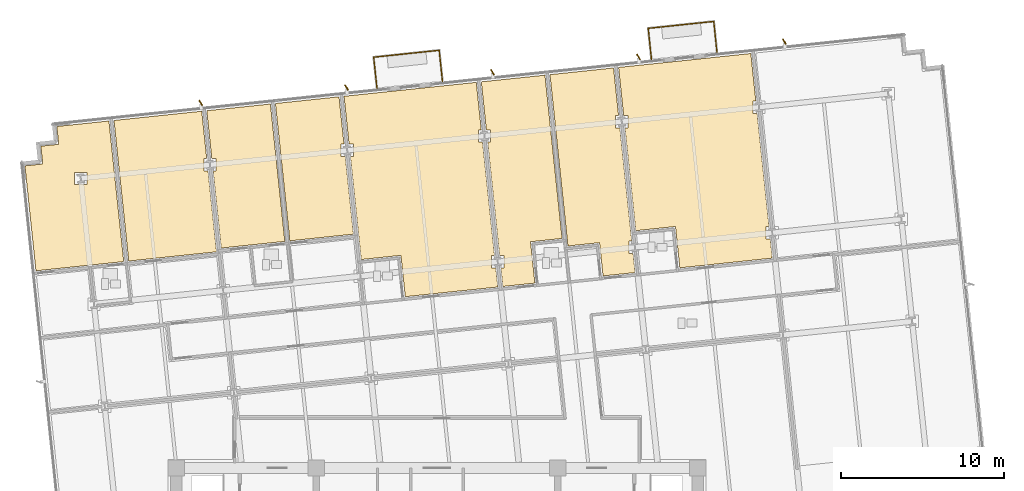
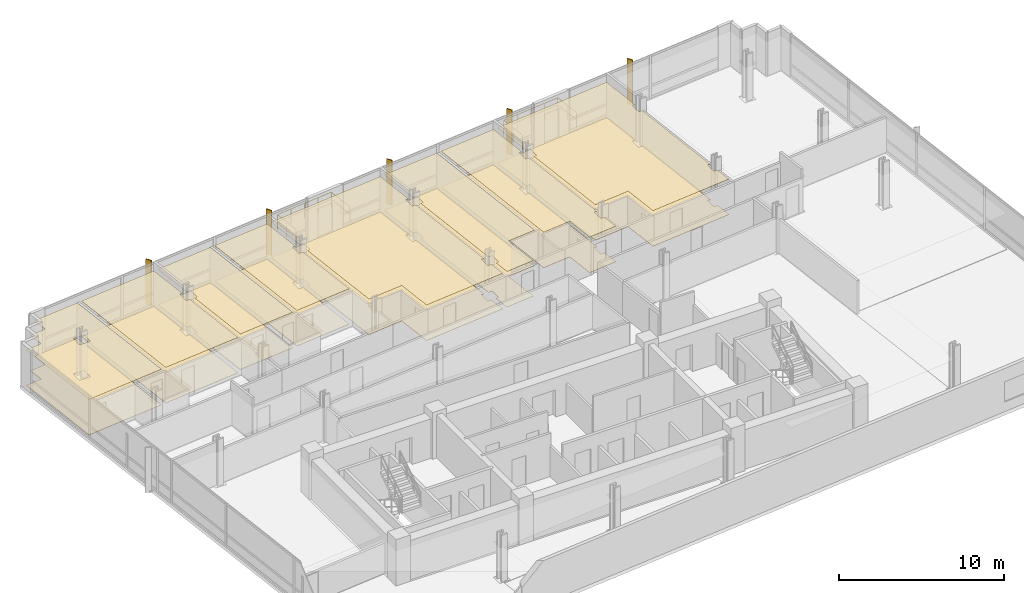
# One storey, part 16 of 18: 16 coverings, 6 railings, 5 shading devices.
"""IFC4 building model written with IfcOpenShell, lengths in metres."""

import ifcopenshell
import ifcopenshell.guid

model = None  # the IFC model being written
_history = None  # IfcOwnerHistory: only IFC2X3 demands one
_inside = {}  # id of a spatial element -> (the spatial element, [elements in it])
_under = {}  # id of a project, library or spatial element -> (it, [spatial elements below it])
_declared = {}  # id of a project -> (the project, [libraries it declares])
_typed = {}  # id of a type object -> (the type object, [elements of that type])
_made_of = {}  # id of a material, layer set ... -> (it, [elements and type objects made of it])


def new_model(schema):
    """Start an empty IFC model of exactly this schema.

    Asked for "IFC4X3", IfcOpenShell would pick the latest addendum, in which some entities
    have other attributes; the version numbers below select the first issue.
    IFC2X3 requires an IfcOwnerHistory on every rooted entity: one is made here for all.
    """
    global model, _history
    if schema == "IFC4X3":
        model = ifcopenshell.file(schema_version=(4, 3, 0, 0))
    else:
        model = ifcopenshell.file(schema=schema)
    _inside.clear()
    _under.clear()
    _declared.clear()
    _typed.clear()
    _made_of.clear()
    _history = None
    if model.schema == "IFC2X3":
        org = make("IfcOrganization", Name="unknown")
        user = make(
            "IfcPersonAndOrganization",
            ThePerson=make("IfcPerson", FamilyName="unknown"),
            TheOrganization=org,
        )
        app = make(
            "IfcApplication",
            ApplicationDeveloper=org,
            Version="unknown",
            ApplicationFullName="unknown",
            ApplicationIdentifier="unknown",
        )
        _history = make(
            "IfcOwnerHistory",
            OwningUser=user,
            OwningApplication=app,
            ChangeAction="ADDED",
            CreationDate=0,
        )
    return model


def make(cls, **values):
    """One entity of the class cls with the attributes given. An attribute that is None is left unset."""
    return model.create_entity(
        cls, **{name: value for name, value in values.items() if value is not None}
    )


def rooted(cls, **values):
    """An entity with a GlobalId (a new one), such as an element, a storey or a relation."""
    return make(cls, GlobalId=ifcopenshell.guid.new(), OwnerHistory=_history, **values)


def si_unit(unit_type, name, prefix=None):
    """IfcSIUnit, for example si_unit("LENGTHUNIT", "METRE", prefix="MILLI")."""
    return make("IfcSIUnit", UnitType=unit_type, Prefix=prefix, Name=name)


def assignment(units):
    """IfcUnitAssignment: the units of a project."""
    return None if units is None else make("IfcUnitAssignment", Units=units)


def point(xyz):
    """IfcCartesianPoint."""
    return None if xyz is None else make("IfcCartesianPoint", Coordinates=xyz)


def direction(xyz):
    """IfcDirection."""
    return None if xyz is None else make("IfcDirection", DirectionRatios=xyz)


def frame(location, z_axis=None, x_axis=None):
    """IfcAxis2Placement3D, a coordinate frame: its origin and axes. An axis left out is left unset."""
    return make(
        "IfcAxis2Placement3D",
        Location=point(location),
        Axis=direction(z_axis),
        RefDirection=direction(x_axis),
    )


def frame_2d(location, x_axis=None):
    """IfcAxis2Placement2D, a coordinate frame in the plane: its origin and x axis."""
    return make(
        "IfcAxis2Placement2D", Location=point(location), RefDirection=direction(x_axis)
    )


def origin():
    """The frame at (0, 0, 0) with its axes left unset."""
    return frame((0.0, 0.0, 0.0))


def origin_2d():
    """The frame at (0, 0) in the plane with its x axis left unset."""
    return frame_2d((0.0, 0.0))


def place(relative_to, where):
    """IfcLocalPlacement: puts the frame where relative to a parent placement (None: the world)."""
    return make(
        "IfcLocalPlacement", PlacementRelTo=relative_to, RelativePlacement=where
    )


def context(
    kind, dimensions, precision=None, world=None, true_north=None, identifier=None
):
    """IfcGeometricRepresentationContext, for example the 3D "Model" context."""
    return make(
        "IfcGeometricRepresentationContext",
        ContextIdentifier=identifier,
        ContextType=kind,
        CoordinateSpaceDimension=dimensions,
        Precision=precision,
        WorldCoordinateSystem=world,
        TrueNorth=true_north,
    )


def subcontext(parent, identifier, kind, view, scale=None):
    """IfcGeometricRepresentationSubContext, for example "Body" below "Model"."""
    return make(
        "IfcGeometricRepresentationSubContext",
        ContextIdentifier=identifier,
        ContextType=kind,
        ParentContext=parent,
        TargetScale=scale,
        TargetView=view,
    )


def project(units=None, contexts=None):
    """IfcProject with its units and contexts."""
    return rooted(
        "IfcProject",
        Name="project",
        RepresentationContexts=contexts,
        UnitsInContext=assignment(units),
    )


def spatial(cls, under=None, at=None, **own):
    """A site, building, storey or space (cls), placed at a placement, below another one or the project."""
    s = rooted(cls, ObjectPlacement=at, **own)
    if under is not None:
        _under.setdefault(under.id(), (under, []))[1].append(s)
    return s


def polyline(points):
    """IfcPolyline through the points."""
    return make("IfcPolyline", Points=[point(p) for p in points])


def profile(cls, at=None, kind="AREA", **sizes):
    """A parametric profile (cls). Its sizes go by their IFC names, for example OverallWidth=200.0."""
    return make(cls, ProfileType=kind, Position=at, **sizes)


def rectangle(**sizes):
    """IfcRectangleProfileDef."""
    return profile("IfcRectangleProfileDef", **sizes)


def circle(**sizes):
    """IfcCircleProfileDef."""
    return profile("IfcCircleProfileDef", **sizes)


def outline(outer, holes=None, kind="AREA"):
    """IfcArbitraryClosedProfileDef: a profile drawn as a closed curve; with holes, ...WithVoids."""
    if holes is None:
        return make("IfcArbitraryClosedProfileDef", ProfileType=kind, OuterCurve=outer)
    return make(
        "IfcArbitraryProfileDefWithVoids",
        ProfileType=kind,
        OuterCurve=outer,
        InnerCurves=holes,
    )


def extrude(swept, where, along, depth):
    """IfcExtrudedAreaSolid: the profile swept, set in the frame where, extruded along a direction by depth."""
    return make(
        "IfcExtrudedAreaSolid",
        SweptArea=swept,
        Position=where,
        ExtrudedDirection=direction(along),
        Depth=depth,
    )


def shape(context_of_items, identifier, shape_type, items):
    """IfcShapeRepresentation: the items that make up one representation, for example the "Body"."""
    return make(
        "IfcShapeRepresentation",
        ContextOfItems=context_of_items,
        RepresentationIdentifier=identifier,
        RepresentationType=shape_type,
        Items=items,
    )


def material(Name=None, Category=None):
    """IfcMaterial."""
    return make("IfcMaterial", Name=Name, Category=Category)


def layer(
    of_material, thickness, ventilated=None, Name=None, Category=None, Priority=None
):
    """IfcMaterialLayer: one layer of a wall or slab, of a material (None: an air gap)."""
    return make(
        "IfcMaterialLayer",
        Material=of_material,
        LayerThickness=thickness,
        IsVentilated=ventilated,
        Name=Name,
        Category=Category,
        Priority=Priority,
    )


def layer_set(layers, Name=None):
    """IfcMaterialLayerSet."""
    return make("IfcMaterialLayerSet", MaterialLayers=layers, LayerSetName=Name)


def made_of(thing, what):
    """Note that an element or type object is made of a material, layer set ...; save() writes the relation."""
    if what is not None:
        _made_of.setdefault(what.id(), (what, []))[1].append(thing)
    return thing


def type_object(cls, material=None, **own):
    """A type object (cls), such as IfcWallType, which elements share."""
    return made_of(rooted(cls, **own), material)


def element(
    cls,
    number,
    at=None,
    inside=None,
    cuts=None,
    type_object=None,
    material=None,
    context=None,
    identifier="Body",
    shape_type=None,
    held_by="IfcProductDefinitionShape",
    body=None,
    shapes=None,
    **own,
):
    """One element of the class cls, such as IfcWall. Its Tag is "e" and its number.

    at: its placement. inside: the storey or other place that contains it. cuts: it is an
    opening in that element (IfcRelVoidsElement). A single representation is given by context,
    identifier, shape_type and body (its items); several are given by shapes. held_by: the class
    of the entity that holds the representations. save() writes the other relations.
    """
    e = rooted(cls, Tag="e%d" % number, ObjectPlacement=at, **own)
    if body is not None:
        shapes = [shape(context, identifier, shape_type, body)]
    if shapes is not None:
        e.Representation = make(held_by, Representations=shapes)
    if inside is not None:
        _inside.setdefault(inside.id(), (inside, []))[1].append(e)
    if cuts is not None:
        rooted(
            "IfcRelVoidsElement", RelatingBuildingElement=cuts, RelatedOpeningElement=e
        )
    if type_object is not None:
        _typed.setdefault(type_object.id(), (type_object, []))[1].append(e)
    return made_of(e, material)


def aggregate(whole, parts):
    """IfcRelAggregates: a whole, such as a stair, and the parts it consists of."""
    return rooted("IfcRelAggregates", RelatingObject=whole, RelatedObjects=parts)


def save(model, path):
    """Write the relations noted so far, then the file.

    IfcRelAggregates (storeys below a building ...), IfcRelContainedInSpatialStructure (elements
    in a storey), IfcRelDefinesByType, IfcRelAssociatesMaterial and IfcRelDeclares: one each for
    every whole, place, type object, material and project.
    """
    for whole, parts in _under.values():
        aggregate(whole, parts)
    for where, things in _inside.values():
        rooted(
            "IfcRelContainedInSpatialStructure",
            RelatedElements=things,
            RelatingStructure=where,
        )
    for kind, things in _typed.values():
        rooted("IfcRelDefinesByType", RelatedObjects=things, RelatingType=kind)
    for what, things in _made_of.values():
        rooted("IfcRelAssociatesMaterial", RelatedObjects=things, RelatingMaterial=what)
    for by, libraries in _declared.values():
        rooted("IfcRelDeclares", RelatingContext=by, RelatedDefinitions=libraries)
    model.write(path)


model = new_model("IFC4")

# Units and contexts
model_context = context("Model", 3, precision=1e-05, world=origin(), true_north=direction((0.0, 1.0)))
body_context = subcontext(model_context, "Body", "Model", "MODEL_VIEW")
ifc_project = project(units=[si_unit("LENGTHUNIT", "METRE"), si_unit("AREAUNIT", "SQUARE_METRE"), si_unit("VOLUMEUNIT", "CUBIC_METRE"), si_unit("PLANEANGLEUNIT", "RADIAN"), si_unit("MASSUNIT", "GRAM", prefix="KILO")], contexts=[model_context])

# Site, building, storey
site_placement = place(None, origin())
site = spatial("IfcSite", under=ifc_project, at=site_placement, CompositionType="ELEMENT")
building_placement = place(site_placement, origin())
building = spatial("IfcBuilding", under=site, at=building_placement, Name="Solmavex Isthmus Hotel", CompositionType="ELEMENT")
storey_placement = place(building_placement, frame((0.0, 0.0, 120.14990234375)))
storey = spatial("IfcBuildingStorey", under=building, at=storey_placement, Name="L32", CompositionType="ELEMENT", Elevation=120.14990234375)

# Coverings
ifc_material_1 = material(Name="Gypsum plasterboard lining", Category="gypsum")
ifc_layer_1 = layer(ifc_material_1, 0.030029296875)
ifc_layer_set_1 = layer_set([ifc_layer_1], Name="Gypsum plasterboard lining")
covering_type_1 = type_object("IfcCoveringType", Name="COV-CEIL-GYP", PredefinedType="CEILING", material=ifc_layer_set_1)
covering_1_placement = place(storey_placement, frame((0.0, 0.0, 2.6201171875)))
element("IfcCovering", 1, at=covering_1_placement, inside=storey, type_object=covering_type_1, Name="Suspended Acoustic Ceiling L32-HB01", PredefinedType="CEILING", context=body_context, shape_type="SweptSolid", body=[
    extrude(outline(polyline([(-25.276123046875, 16.030029296875), (-25.18994140625, 15.20947265625), (-24.599609375, 9.593505859375), (-19.21533203125, 10.159423828125), (-20.121826171875, 18.783935546875), (-22.49755859375, 18.5341796875), (-23.318115234375, 18.447998046875), (-23.203125, 17.35400390625), (-24.297119140625, 17.239013671875), (-24.18212890625, 16.14501953125), (-25.276123046875, 16.030029296875)]), holes=[polyline([(-22.231689453125, 14.878662109375), (-22.231689453125, 15.638671875), (-21.4716796875, 15.638671875), (-21.4716796875, 14.878662109375), (-22.231689453125, 14.878662109375)])]), origin(), (0.0, 0.0, 1.0), 0.030029296875),
])
covering_2_placement = place(storey_placement, frame((0.0, 0.0, 2.6201171875)))
element("IfcCovering", 2, at=covering_2_placement, inside=storey, type_object=covering_type_1, Name="Suspended Acoustic Ceiling L32-HP01", PredefinedType="CEILING", context=body_context, shape_type="SweptSolid", body=[
    extrude(outline(polyline([(-14.043212890625, 15.711669921875), (-14.307373046875, 15.711669921875), (-14.307373046875, 16.4716796875), (-14.123291015625, 16.4716796875), (-14.42919921875, 19.38232421875), (-19.8134765625, 18.81640625), (-18.906982421875, 10.19189453125), (-13.522705078125, 10.7578125), (-14.043212890625, 15.711669921875)])), origin(), (0.0, 0.0, 1.0), 0.030029296875),
])
covering_3_placement = place(storey_placement, frame((0.0, 0.0, 2.6201171875)))
element("IfcCovering", 3, at=covering_3_placement, inside=storey, type_object=covering_type_1, Name="Suspended Acoustic Ceiling L32-TB02", PredefinedType="CEILING", context=body_context, shape_type="SweptSolid", body=[
    extrude(outline(polyline([(-13.8115234375, 16.4716796875), (-13.54736328125, 16.4716796875), (-13.54736328125, 15.711669921875), (-13.731689453125, 15.711669921875), (-13.235107421875, 10.989013671875), (-9.333740234375, 11.399169921875), (-10.21923828125, 19.82470703125), (-14.120849609375, 19.41455078125), (-13.927978515625, 17.5810546875), (-13.8115234375, 16.4716796875)])), origin(), (0.0, 0.0, 1.0), 0.030029296875),
])
covering_4_placement = place(storey_placement, frame((0.0, 0.0, 2.6201171875)))
element("IfcCovering", 4, at=covering_4_placement, inside=storey, type_object=covering_type_1, Name="Suspended Acoustic Ceiling L32-TL02", PredefinedType="CEILING", context=body_context, shape_type="SweptSolid", body=[
    extrude(outline(polyline([(-5.623779296875, 16.5966796875), (-5.8876953125, 16.5966796875), (-5.8876953125, 17.356689453125), (-5.70361328125, 17.356689453125), (-6.009521484375, 20.26708984375), (-9.910888671875, 19.857177734375), (-9.025390625, 11.431640625), (-5.123779296875, 11.841552734375), (-5.623779296875, 16.5966796875)])), origin(), (0.0, 0.0, 1.0), 0.030029296875),
])
covering_5_placement = place(storey_placement, frame((0.0, 0.0, 2.6201171875)))
element("IfcCovering", 5, at=covering_5_placement, inside=storey, type_object=covering_type_1, Name="Suspended Acoustic Ceiling L32-RM03", PredefinedType="CEILING", context=body_context, shape_type="SweptSolid", body=[
    extrude(outline(polyline([(-5.391845703125, 17.356689453125), (-5.127685546875, 17.356689453125), (-5.127685546875, 16.5966796875), (-5.31201171875, 16.5966796875), (-4.648681640625, 10.28466796875), (-2.2119140625, 10.540771484375), (-1.945556640625, 8.0048828125), (3.729248046875, 8.601318359375), (3.606201171875, 9.77197265625), (3.34228515625, 9.77197265625), (3.34228515625, 10.531982421875), (3.5263671875, 10.531982421875), (2.7958984375, 17.4814453125), (2.53173828125, 17.4814453125), (2.53173828125, 18.241455078125), (2.716064453125, 18.241455078125), (2.41015625, 21.152099609375), (-5.701171875, 20.299560546875), (-5.391845703125, 17.356689453125)])), origin(), (0.0, 0.0, 1.0), 0.030029296875),
])
covering_6_placement = place(storey_placement, frame((0.0, 0.0, 2.6201171875)))
element("IfcCovering", 6, at=covering_6_placement, inside=storey, type_object=covering_type_1, Name="Suspended Acoustic Ceiling L32-RM04", PredefinedType="CEILING", context=body_context, shape_type="SweptSolid", body=[
    extrude(outline(polyline([(3.838134765625, 10.531982421875), (4.10205078125, 10.531982421875), (4.10205078125, 9.77197265625), (3.91796875, 9.77197265625), (4.03759765625, 8.633544921875), (6.002685546875, 8.840087890625), (5.736083984375, 11.376220703125), (7.672607421875, 11.579833984375), (6.619873046875, 21.594482421875), (2.718505859375, 21.1845703125), (3.02783203125, 18.241455078125), (3.291748046875, 18.241455078125), (3.291748046875, 17.4814453125), (3.107666015625, 17.4814453125), (3.838134765625, 10.531982421875)])), origin(), (0.0, 0.0, 1.0), 0.030029296875),
])
covering_7_placement = place(storey_placement, frame((0.0, 0.0, 2.6201171875)))
element("IfcCovering", 7, at=covering_7_placement, inside=storey, type_object=covering_type_1, Name="Suspended Acoustic Ceiling L32-RM05", PredefinedType="CEILING", context=body_context, shape_type="SweptSolid", body=[
    extrude(outline(polyline([(11.215576171875, 18.366455078125), (10.951416015625, 18.366455078125), (10.951416015625, 19.12646484375), (11.1357421875, 19.12646484375), (10.829833984375, 22.037109375), (6.92822265625, 21.626953125), (8.033203125, 11.114990234375), (9.9697265625, 11.318359375), (10.183837890625, 9.279541015625), (12.14892578125, 9.486083984375), (12.02587890625, 10.656982421875), (11.76171875, 10.656982421875), (11.76171875, 11.4169921875), (11.946044921875, 11.4169921875), (11.215576171875, 18.366455078125)])), origin(), (0.0, 0.0, 1.0), 0.030029296875),
])
covering_8_placement = place(storey_placement, frame((0.0, 0.0, 2.6201171875)))
element("IfcCovering", 8, at=covering_8_placement, inside=storey, type_object=covering_type_1, Name="Suspended Acoustic Ceiling L32-RM06", PredefinedType="CEILING", context=body_context, shape_type="SweptSolid", body=[
    extrude(outline(polyline([(11.447509765625, 19.12646484375), (11.71142578125, 19.12646484375), (11.71142578125, 18.366455078125), (11.52734375, 18.366455078125), (11.71142578125, 16.614501953125), (12.190673828125, 12.0546875), (14.627197265625, 12.310791015625), (14.893798828125, 9.774658203125), (20.568603515625, 10.37109375), (20.445556640625, 11.541748046875), (20.181396484375, 11.541748046875), (20.181396484375, 12.3017578125), (20.36572265625, 12.3017578125), (19.63525390625, 19.25146484375), (19.37109375, 19.25146484375), (19.37109375, 20.011474609375), (19.555419921875, 20.011474609375), (19.24951171875, 22.921875), (11.13818359375, 22.0693359375), (11.447509765625, 19.12646484375)])), origin(), (0.0, 0.0, 1.0), 0.030029296875),
])
ifc_material_2 = material(Name="Travertine natural stone", Category="masonry")
ifc_layer_2 = layer(ifc_material_2, 0.02490234375)
ifc_layer_set_2 = layer_set([ifc_layer_2], Name="Travertine natural stone")
covering_type_2 = type_object("IfcCoveringType", Name="COV-FLOR-STN", PredefinedType="FLOORING", material=ifc_layer_set_2)
covering_9_placement = place(storey_placement, origin())
element("IfcCovering", 9, at=covering_9_placement, inside=storey, type_object=covering_type_2, Name="Stone and Timber Floor Finish L32-HB01", PredefinedType="FLOORING", context=body_context, shape_type="SweptSolid", body=[
    extrude(outline(polyline([(-25.276123046875, 16.030029296875), (-25.18994140625, 15.20947265625), (-24.599609375, 9.593505859375), (-19.21533203125, 10.159423828125), (-20.121826171875, 18.783935546875), (-22.49755859375, 18.5341796875), (-23.318115234375, 18.447998046875), (-23.203125, 17.35400390625), (-24.297119140625, 17.239013671875), (-24.18212890625, 16.14501953125), (-25.276123046875, 16.030029296875)]), holes=[polyline([(-22.231689453125, 14.878662109375), (-22.231689453125, 15.638671875), (-21.4716796875, 15.638671875), (-21.4716796875, 14.878662109375), (-22.231689453125, 14.878662109375)])]), origin(), (0.0, 0.0, 1.0), 0.025146484375),
])
covering_10_placement = place(storey_placement, origin())
element("IfcCovering", 10, at=covering_10_placement, inside=storey, type_object=covering_type_2, Name="Stone and Timber Floor Finish L32-HP01", PredefinedType="FLOORING", context=body_context, shape_type="SweptSolid", body=[
    extrude(outline(polyline([(-14.043212890625, 15.711669921875), (-14.307373046875, 15.711669921875), (-14.307373046875, 16.4716796875), (-14.123291015625, 16.4716796875), (-14.42919921875, 19.38232421875), (-19.8134765625, 18.81640625), (-18.906982421875, 10.19189453125), (-13.522705078125, 10.7578125), (-14.043212890625, 15.711669921875)])), origin(), (0.0, 0.0, 1.0), 0.025146484375),
])
covering_11_placement = place(storey_placement, origin())
element("IfcCovering", 11, at=covering_11_placement, inside=storey, type_object=covering_type_2, Name="Stone and Timber Floor Finish L32-TB02", PredefinedType="FLOORING", context=body_context, shape_type="SweptSolid", body=[
    extrude(outline(polyline([(-13.8115234375, 16.4716796875), (-13.54736328125, 16.4716796875), (-13.54736328125, 15.711669921875), (-13.731689453125, 15.711669921875), (-13.235107421875, 10.989013671875), (-9.333740234375, 11.399169921875), (-10.21923828125, 19.82470703125), (-14.120849609375, 19.41455078125), (-13.927978515625, 17.5810546875), (-13.8115234375, 16.4716796875)])), origin(), (0.0, 0.0, 1.0), 0.025146484375),
])
covering_12_placement = place(storey_placement, origin())
element("IfcCovering", 12, at=covering_12_placement, inside=storey, type_object=covering_type_2, Name="Stone and Timber Floor Finish L32-TL02", PredefinedType="FLOORING", context=body_context, shape_type="SweptSolid", body=[
    extrude(outline(polyline([(-5.623779296875, 16.5966796875), (-5.8876953125, 16.5966796875), (-5.8876953125, 17.356689453125), (-5.70361328125, 17.356689453125), (-6.009521484375, 20.26708984375), (-9.910888671875, 19.857177734375), (-9.025390625, 11.431640625), (-5.123779296875, 11.841552734375), (-5.623779296875, 16.5966796875)])), origin(), (0.0, 0.0, 1.0), 0.025146484375),
])
covering_13_placement = place(storey_placement, origin())
element("IfcCovering", 13, at=covering_13_placement, inside=storey, type_object=covering_type_2, Name="Stone and Timber Floor Finish L32-RM03", PredefinedType="FLOORING", context=body_context, shape_type="SweptSolid", body=[
    extrude(outline(polyline([(-5.391845703125, 17.356689453125), (-5.127685546875, 17.356689453125), (-5.127685546875, 16.5966796875), (-5.31201171875, 16.5966796875), (-4.648681640625, 10.28466796875), (-2.2119140625, 10.540771484375), (-1.945556640625, 8.0048828125), (3.729248046875, 8.601318359375), (3.606201171875, 9.77197265625), (3.34228515625, 9.77197265625), (3.34228515625, 10.531982421875), (3.5263671875, 10.531982421875), (2.7958984375, 17.4814453125), (2.53173828125, 17.4814453125), (2.53173828125, 18.241455078125), (2.716064453125, 18.241455078125), (2.41015625, 21.152099609375), (-5.701171875, 20.299560546875), (-5.391845703125, 17.356689453125)])), origin(), (0.0, 0.0, 1.0), 0.025146484375),
])
covering_14_placement = place(storey_placement, origin())
element("IfcCovering", 14, at=covering_14_placement, inside=storey, type_object=covering_type_2, Name="Stone and Timber Floor Finish L32-RM04", PredefinedType="FLOORING", context=body_context, shape_type="SweptSolid", body=[
    extrude(outline(polyline([(3.838134765625, 10.531982421875), (4.10205078125, 10.531982421875), (4.10205078125, 9.77197265625), (3.91796875, 9.77197265625), (4.03759765625, 8.633544921875), (6.002685546875, 8.840087890625), (5.736083984375, 11.376220703125), (7.672607421875, 11.579833984375), (6.619873046875, 21.594482421875), (2.718505859375, 21.1845703125), (3.02783203125, 18.241455078125), (3.291748046875, 18.241455078125), (3.291748046875, 17.4814453125), (3.107666015625, 17.4814453125), (3.838134765625, 10.531982421875)])), origin(), (0.0, 0.0, 1.0), 0.025146484375),
])
covering_15_placement = place(storey_placement, origin())
element("IfcCovering", 15, at=covering_15_placement, inside=storey, type_object=covering_type_2, Name="Stone and Timber Floor Finish L32-RM05", PredefinedType="FLOORING", context=body_context, shape_type="SweptSolid", body=[
    extrude(outline(polyline([(11.215576171875, 18.366455078125), (10.951416015625, 18.366455078125), (10.951416015625, 19.12646484375), (11.1357421875, 19.12646484375), (10.829833984375, 22.037109375), (6.92822265625, 21.626953125), (8.033203125, 11.114990234375), (9.9697265625, 11.318359375), (10.183837890625, 9.279541015625), (12.14892578125, 9.486083984375), (12.02587890625, 10.656982421875), (11.76171875, 10.656982421875), (11.76171875, 11.4169921875), (11.946044921875, 11.4169921875), (11.215576171875, 18.366455078125)])), origin(), (0.0, 0.0, 1.0), 0.025146484375),
])
covering_16_placement = place(storey_placement, origin())
element("IfcCovering", 16, at=covering_16_placement, inside=storey, type_object=covering_type_2, Name="Stone and Timber Floor Finish L32-RM06", PredefinedType="FLOORING", context=body_context, shape_type="SweptSolid", body=[
    extrude(outline(polyline([(11.447509765625, 19.12646484375), (11.71142578125, 19.12646484375), (11.71142578125, 18.366455078125), (11.52734375, 18.366455078125), (11.71142578125, 16.614501953125), (12.190673828125, 12.0546875), (14.627197265625, 12.310791015625), (14.893798828125, 9.774658203125), (20.568603515625, 10.37109375), (20.445556640625, 11.541748046875), (20.181396484375, 11.541748046875), (20.181396484375, 12.3017578125), (20.36572265625, 12.3017578125), (19.63525390625, 19.25146484375), (19.37109375, 19.25146484375), (19.37109375, 20.011474609375), (19.555419921875, 20.011474609375), (19.24951171875, 22.921875), (11.13818359375, 22.0693359375), (11.447509765625, 19.12646484375)])), origin(), (0.0, 0.0, 1.0), 0.025146484375),
])

# Railings
ifc_material_3 = material(Name="Clear low-E laminated glass", Category="glass")
ifc_layer_3 = layer(ifc_material_3, 0.070068359375)
ifc_layer_set_3 = layer_set([ifc_layer_3], Name="Clear low-E laminated glass")
railing_type = type_object("IfcRailingType", Name="RAIL-GUARD-1100", PredefinedType="BALUSTRADE", material=ifc_layer_set_3)
railing_1_placement = place(storey_placement, frame((-3.68310546875, 20.7880859375, 0.0)))
element("IfcRailing", 17, at=railing_1_placement, inside=storey, type_object=railing_type, Name="Guardrail Balustrade L32-BAL1-01", PredefinedType="BALUSTRADE", context=body_context, shape_type="SweptSolid", body=[
    extrude(circle(Radius=0.02392578125, at=origin_2d()), frame((0.0, 0.0, 1.09619140625), z_axis=(-0.104512702575, 0.994523551758, 0.0), x_axis=(-0.994523551758, -0.104512702575, 0.0)), (0.0, 0.0, 1.0), 1.920166015625),
    extrude(circle(Radius=0.02392578125, at=origin_2d()), frame((0.0, 0.0, 0.56005859375), z_axis=(-0.104512702575, 0.994523551758, 0.0), x_axis=(-0.994523551758, -0.104512702575, 0.0)), (0.0, 0.0, 1.0), 1.920166015625),
    extrude(circle(Radius=0.02099609375, at=origin_2d()), origin(), (0.0, 0.0, 1.0), 1.072021484375),
    extrude(circle(Radius=0.02099609375, at=origin_2d()), frame((-0.100341796875, 0.954833984375, 0.0)), (0.0, 0.0, 1.0), 1.072021484375),
    extrude(circle(Radius=0.02099609375, at=origin_2d()), frame((-0.20068359375, 1.90966796875, 0.0)), (0.0, 0.0, 1.0), 1.072021484375),
])
railing_2_placement = place(storey_placement, frame((-3.8837890625, 22.69775390625, 0.0)))
element("IfcRailing", 18, at=railing_2_placement, inside=storey, type_object=railing_type, Name="Guardrail Balustrade L32-BAL1-02", PredefinedType="BALUSTRADE", context=body_context, shape_type="SweptSolid", body=[
    extrude(circle(Radius=0.02392578125, at=origin_2d()), frame((0.0, 0.0, 1.09619140625), z_axis=(0.994526294567, 0.104486599216, 0.0), x_axis=(-0.104486599216, 0.994526294567, 0.0)), (0.0, 0.0, 1.0), 4.0400390625),
    extrude(circle(Radius=0.02392578125, at=origin_2d()), frame((0.0, 0.0, 0.56005859375), z_axis=(0.994526294567, 0.104486599216, 0.0), x_axis=(-0.104486599216, 0.994526294567, 0.0)), (0.0, 0.0, 1.0), 4.0400390625),
    extrude(circle(Radius=0.02099609375, at=origin_2d()), origin(), (0.0, 0.0, 1.0), 1.072021484375),
    extrude(circle(Radius=0.02099609375, at=origin_2d()), frame((1.00439453125, 0.10546875, 0.0)), (0.0, 0.0, 1.0), 1.072021484375),
    extrude(circle(Radius=0.02099609375, at=origin_2d()), frame((2.0087890625, 0.2109375, 0.0)), (0.0, 0.0, 1.0), 1.072021484375),
    extrude(circle(Radius=0.02099609375, at=origin_2d()), frame((3.013427734375, 0.316650390625, 0.0)), (0.0, 0.0, 1.0), 1.072021484375),
    extrude(circle(Radius=0.02099609375, at=origin_2d()), frame((4.017822265625, 0.422119140625, 0.0)), (0.0, 0.0, 1.0), 1.072021484375),
])
railing_3_placement = place(storey_placement, frame((0.134033203125, 23.119873046875, 0.0)))
element("IfcRailing", 19, at=railing_3_placement, inside=storey, type_object=railing_type, Name="Guardrail Balustrade L32-BAL1-03", PredefinedType="BALUSTRADE", context=body_context, shape_type="SweptSolid", body=[
    extrude(circle(Radius=0.02392578125, at=origin_2d()), frame((0.0, 0.0, 1.09619140625), z_axis=(0.104525919671, -0.994522162708, 0.0), x_axis=(0.994522162708, 0.104525919671, 0.0)), (0.0, 0.0, 1.0), 1.919921875),
    extrude(circle(Radius=0.02392578125, at=origin_2d()), frame((0.0, 0.0, 0.56005859375), z_axis=(0.104525919671, -0.994522162708, 0.0), x_axis=(0.994522162708, 0.104525919671, 0.0)), (0.0, 0.0, 1.0), 1.919921875),
    extrude(circle(Radius=0.02099609375, at=origin_2d()), origin(), (0.0, 0.0, 1.0), 1.072021484375),
    extrude(circle(Radius=0.02099609375, at=origin_2d()), frame((0.100341796875, -0.95458984375, 0.0)), (0.0, 0.0, 1.0), 1.072021484375),
    extrude(circle(Radius=0.02099609375, at=origin_2d()), frame((0.20068359375, -1.909423828125, 0.0)), (0.0, 0.0, 1.0), 1.072021484375),
])
railing_4_placement = place(storey_placement, frame((13.156005859375, 22.55810546875, 0.0)))
element("IfcRailing", 20, at=railing_4_placement, inside=storey, type_object=railing_type, Name="Guardrail Balustrade L32-BAL2-01", PredefinedType="BALUSTRADE", context=body_context, shape_type="SweptSolid", body=[
    extrude(circle(Radius=0.02392578125, at=origin_2d()), frame((0.0, 0.0, 1.09619140625), z_axis=(-0.104525919671, 0.994522162708, 0.0), x_axis=(-0.994522162708, -0.104525919671, 0.0)), (0.0, 0.0, 1.0), 1.919921875),
    extrude(circle(Radius=0.02392578125, at=origin_2d()), frame((0.0, 0.0, 0.56005859375), z_axis=(-0.104525919671, 0.994522162708, 0.0), x_axis=(-0.994522162708, -0.104525919671, 0.0)), (0.0, 0.0, 1.0), 1.919921875),
    extrude(circle(Radius=0.02099609375, at=origin_2d()), origin(), (0.0, 0.0, 1.0), 1.072021484375),
    extrude(circle(Radius=0.02099609375, at=origin_2d()), frame((-0.100341796875, 0.95458984375, 0.0)), (0.0, 0.0, 1.0), 1.072021484375),
    extrude(circle(Radius=0.02099609375, at=origin_2d()), frame((-0.20068359375, 1.909423828125, 0.0)), (0.0, 0.0, 1.0), 1.072021484375),
])
railing_5_placement = place(storey_placement, frame((12.955322265625, 24.467529296875, 0.0)))
element("IfcRailing", 21, at=railing_5_placement, inside=storey, type_object=railing_type, Name="Guardrail Balustrade L32-BAL2-02", PredefinedType="BALUSTRADE", context=body_context, shape_type="SweptSolid", body=[
    extrude(circle(Radius=0.02392578125, at=origin_2d()), frame((0.0, 0.0, 1.09619140625), z_axis=(0.994520013058, 0.104546370699, 0.0), x_axis=(-0.104546370699, 0.994520013058, 0.0)), (0.0, 0.0, 1.0), 4.0400390625),
    extrude(circle(Radius=0.02392578125, at=origin_2d()), frame((0.0, 0.0, 0.56005859375), z_axis=(0.994520013058, 0.104546370699, 0.0), x_axis=(-0.104546370699, 0.994520013058, 0.0)), (0.0, 0.0, 1.0), 4.0400390625),
    extrude(circle(Radius=0.02099609375, at=origin_2d()), origin(), (0.0, 0.0, 1.0), 1.072021484375),
    extrude(circle(Radius=0.02099609375, at=origin_2d()), frame((1.00439453125, 0.10546875, 0.0)), (0.0, 0.0, 1.0), 1.072021484375),
    extrude(circle(Radius=0.02099609375, at=origin_2d()), frame((2.0087890625, 0.211181640625, 0.0)), (0.0, 0.0, 1.0), 1.072021484375),
    extrude(circle(Radius=0.02099609375, at=origin_2d()), frame((3.013427734375, 0.31689453125, 0.0)), (0.0, 0.0, 1.0), 1.072021484375),
    extrude(circle(Radius=0.02099609375, at=origin_2d()), frame((4.017822265625, 0.42236328125, 0.0)), (0.0, 0.0, 1.0), 1.072021484375),
])
railing_6_placement = place(storey_placement, frame((16.97314453125, 24.889892578125, 0.0)))
element("IfcRailing", 22, at=railing_6_placement, inside=storey, type_object=railing_type, Name="Guardrail Balustrade L32-BAL2-03", PredefinedType="BALUSTRADE", context=body_context, shape_type="SweptSolid", body=[
    extrude(circle(Radius=0.02392578125, at=origin_2d()), frame((0.0, 0.0, 1.09619140625), z_axis=(0.104525919671, -0.994522162708, 0.0), x_axis=(0.994522162708, 0.104525919671, 0.0)), (0.0, 0.0, 1.0), 1.919921875),
    extrude(circle(Radius=0.02392578125, at=origin_2d()), frame((0.0, 0.0, 0.56005859375), z_axis=(0.104525919671, -0.994522162708, 0.0), x_axis=(0.994522162708, 0.104525919671, 0.0)), (0.0, 0.0, 1.0), 1.919921875),
    extrude(circle(Radius=0.02099609375, at=origin_2d()), origin(), (0.0, 0.0, 1.0), 1.072021484375),
    extrude(circle(Radius=0.02099609375, at=origin_2d()), frame((0.100341796875, -0.95458984375, 0.0)), (0.0, 0.0, 1.0), 1.072021484375),
    extrude(circle(Radius=0.02099609375, at=origin_2d()), frame((0.20068359375, -1.909423828125, 0.0)), (0.0, 0.0, 1.0), 1.072021484375),
])

# Shading devices
ifc_material_4 = material(Name="Aluminium alloy 6063-T6", Category="aluminium")
shading_device_type = type_object("IfcShadingDeviceType", Name="SHD-FIN-CHAMP", PredefinedType="USERDEFINED", material=ifc_material_4)
for number, where, z_axis, x_axis, name in (
    (23, (-14.495849609375, 19.89306640625, -0.139892578125), (0.0, 0.0, 1.0), (-0.529919264233, 0.848048096156, 0.0), "Anodised Aluminium Solar Fin L32-N1"),
    (24, (-5.545166015625, 20.833740234375, -0.139892578125), (0.0, 0.0, 1.0), (-0.529919264233, 0.848048096156, 0.0), "Anodised Aluminium Solar Fin L32-N2"),
    (25, (3.405517578125, 21.774658203125, -0.139892578125), (0.0, 0.0, 1.0), (-0.529919264233, 0.848048096156, 0.0), "Anodised Aluminium Solar Fin L32-N3"),
    (26, (12.356201171875, 22.71533203125, -0.139892578125), (0.0, 0.0, 1.0), (-0.529919264233, 0.848048096156, 0.0), "Anodised Aluminium Solar Fin L32-N4"),
    (27, (21.306884765625, 23.656005859375, -0.139892578125), (0.0, 0.0, 1.0), (-0.529919264233, 0.848048096156, 0.0), "Anodised Aluminium Solar Fin L32-N5"),
):
    element("IfcShadingDevice", number, at=place(storey_placement, frame(where, z_axis=z_axis, x_axis=x_axis)), inside=storey, type_object=shading_device_type, Name=name, ObjectType="SOLAR_FIN", PredefinedType="USERDEFINED", context=body_context, shape_type="SweptSolid", body=[
        extrude(rectangle(XDim=0.3798828125, YDim=0.070068359375, at=origin_2d()), origin(), (0.0, 0.0, 1.0), 3.330078125),
    ])

save(model, "model.ifc")
